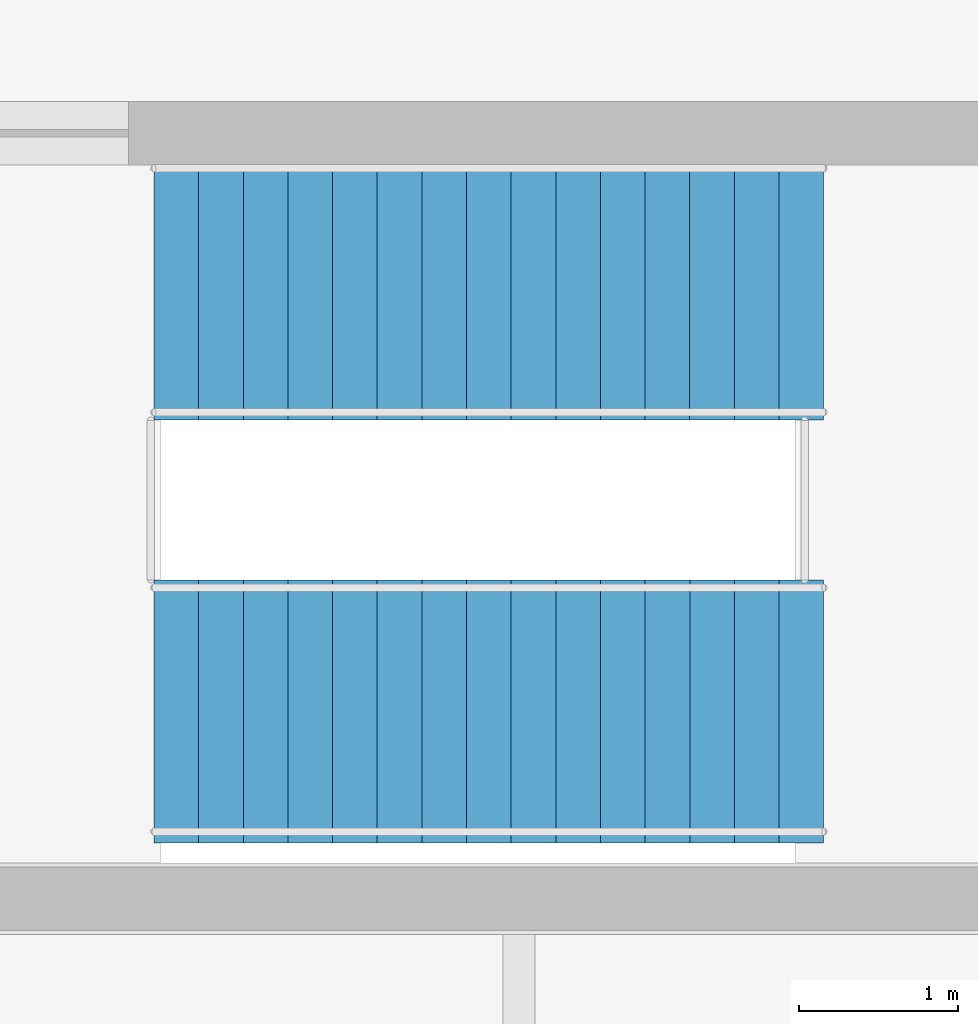
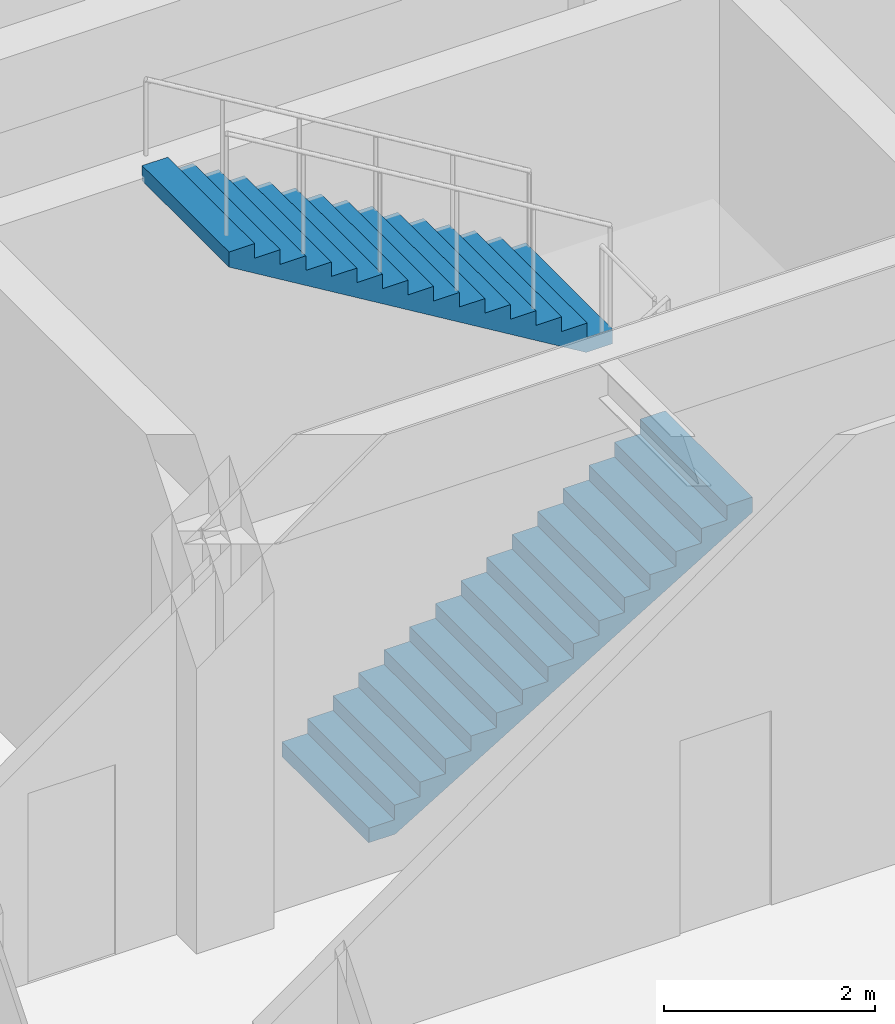
# One storey, part 61 of 73: 2 stair flights, 1 element without a shape of its own.
"""IFC4 building model written with IfcOpenShell, lengths in metres."""

from ifc_helpers import new_model, si_unit, direction, frame, origin, place, context, subcontext, project, spatial, polyline, outline, extrude, material, type_object, element, aggregate, save


model = new_model("IFC4")

# Units and contexts
model_context = context("Model", 3, precision=1e-05, world=origin(), true_north=direction((0.0, 1.0)))
body_context = subcontext(model_context, "Body", "Model", "MODEL_VIEW")
ifc_project = project(units=[si_unit("LENGTHUNIT", "METRE"), si_unit("AREAUNIT", "SQUARE_METRE"), si_unit("VOLUMEUNIT", "CUBIC_METRE"), si_unit("PLANEANGLEUNIT", "RADIAN"), si_unit("MASSUNIT", "GRAM", prefix="KILO")], contexts=[model_context])

# Site, building, storey
site_placement = place(None, origin())
site = spatial("IfcSite", under=ifc_project, at=site_placement, CompositionType="ELEMENT")
building_placement = place(site_placement, origin())
building = spatial("IfcBuilding", under=site, at=building_placement, Name="Chengyuan Square Courthouse", CompositionType="ELEMENT")
storey_placement = place(building_placement, origin())
storey = spatial("IfcBuildingStorey", under=building, at=storey_placement, Name="L01", CompositionType="ELEMENT", Elevation=0.0)

# Stair, stair flights
ifc_material = material(Name="Concrete C40", Category="concrete")
stair_type = type_object("IfcStairType", Name="ST-TYPE-10", PredefinedType="HALF_TURN_STAIR", material=ifc_material)
stair_placement = place(storey_placement, origin())
stair = element("IfcStair", 1, at=stair_placement, inside=storey, type_object=stair_type, Name="Smoke-Proof Exit Stair ST-10 (L01 to L02)", PredefinedType="HALF_TURN_STAIR")
stair_flight_type = type_object("IfcStairFlightType", Name="STF-TYPE-10", PredefinedType="STRAIGHT", material=ifc_material)
stair_flight_1_placement = place(storey_placement, frame((144.7099609375, 87.574951171875, 0.0), z_axis=(0.0, 0.0, 1.0), x_axis=(1.0, 0.0, 0.0)))
stair_flight_1 = element("IfcStairFlight", 2, at=stair_flight_1_placement, type_object=stair_flight_type, Name="ST-10 flight 1", NumberOfRisers=16, NumberOfTreads=15, PredefinedType="STRAIGHT", RiserHeight=0.16875, TreadLength=0.28, context=body_context, shape_type="SweptSolid", body=[
    extrude(outline(polyline([(0.0, 0.0), (0.0, 0.168701171875), (0.280029296875, 0.168701171875), (0.280029296875, 0.33740234375), (0.56005859375, 0.33740234375), (0.56005859375, 0.50634765625), (0.840087890625, 0.50634765625), (0.840087890625, 0.675048828125), (1.1201171875, 0.675048828125), (1.1201171875, 0.84375), (1.39990234375, 0.84375), (1.39990234375, 1.012451171875), (1.679931640625, 1.012451171875), (1.679931640625, 1.18115234375), (1.9599609375, 1.18115234375), (1.9599609375, 1.35009765625), (2.239990234375, 1.35009765625), (2.239990234375, 1.518798828125), (2.52001953125, 1.518798828125), (2.52001953125, 1.6875), (2.800048828125, 1.6875), (2.800048828125, 1.856201171875), (3.080078125, 1.856201171875), (3.080078125, 2.02490234375), (3.360107421875, 2.02490234375), (3.360107421875, 2.19384765625), (3.639892578125, 2.19384765625), (3.639892578125, 2.362548828125), (3.919921875, 2.362548828125), (3.919921875, 2.53125), (4.199951171875, 2.53125), (4.199951171875, 2.699951171875), (4.199951171875, 2.356201171875), (0.29052734375, 0.0), (0.0, 0.0)])), frame((0.0, 0.824951171875, 0.0), z_axis=(0.0, -1.0, 0.0), x_axis=(1.0, 0.0, 0.0)), (0.0, 0.0, 1.0), 1.64990234375),
])
stair_flight_2_placement = place(storey_placement, frame((148.909912109375, 90.22509765625, 2.699951171875), z_axis=(0.0, 0.0, 1.0), x_axis=(-1.0, 0.0, 0.0)))
stair_flight_2 = element("IfcStairFlight", 3, at=stair_flight_2_placement, type_object=stair_flight_type, Name="ST-10 flight 2", NumberOfRisers=16, NumberOfTreads=15, PredefinedType="STRAIGHT", RiserHeight=0.16875, TreadLength=0.28, context=body_context, shape_type="SweptSolid", body=[
    extrude(outline(polyline([(0.0, 0.0), (0.0, 0.168701171875), (0.280029296875, 0.168701171875), (0.280029296875, 0.33740234375), (0.56005859375, 0.33740234375), (0.56005859375, 0.50634765625), (0.840087890625, 0.50634765625), (0.840087890625, 0.675048828125), (1.1201171875, 0.675048828125), (1.1201171875, 0.84375), (1.39990234375, 0.84375), (1.39990234375, 1.012451171875), (1.679931640625, 1.012451171875), (1.679931640625, 1.18115234375), (1.9599609375, 1.18115234375), (1.9599609375, 1.35009765625), (2.239990234375, 1.35009765625), (2.239990234375, 1.518798828125), (2.52001953125, 1.518798828125), (2.52001953125, 1.6875), (2.800048828125, 1.6875), (2.800048828125, 1.856201171875), (3.080078125, 1.856201171875), (3.080078125, 2.02490234375), (3.360107421875, 2.02490234375), (3.360107421875, 2.19384765625), (3.639892578125, 2.19384765625), (3.639892578125, 2.362548828125), (3.919921875, 2.362548828125), (3.919921875, 2.53125), (4.199951171875, 2.53125), (4.199951171875, 2.699951171875), (4.199951171875, 2.356201171875), (0.29052734375, 0.0), (0.0, 0.0)])), frame((0.0, 0.824951171875, 0.0), z_axis=(0.0, -1.0, 0.0), x_axis=(1.0, 0.0, 0.0)), (0.0, 0.0, 1.0), 1.64990234375),
])
aggregate(stair, [stair_flight_1, stair_flight_2])

save(model, "model.ifc")
